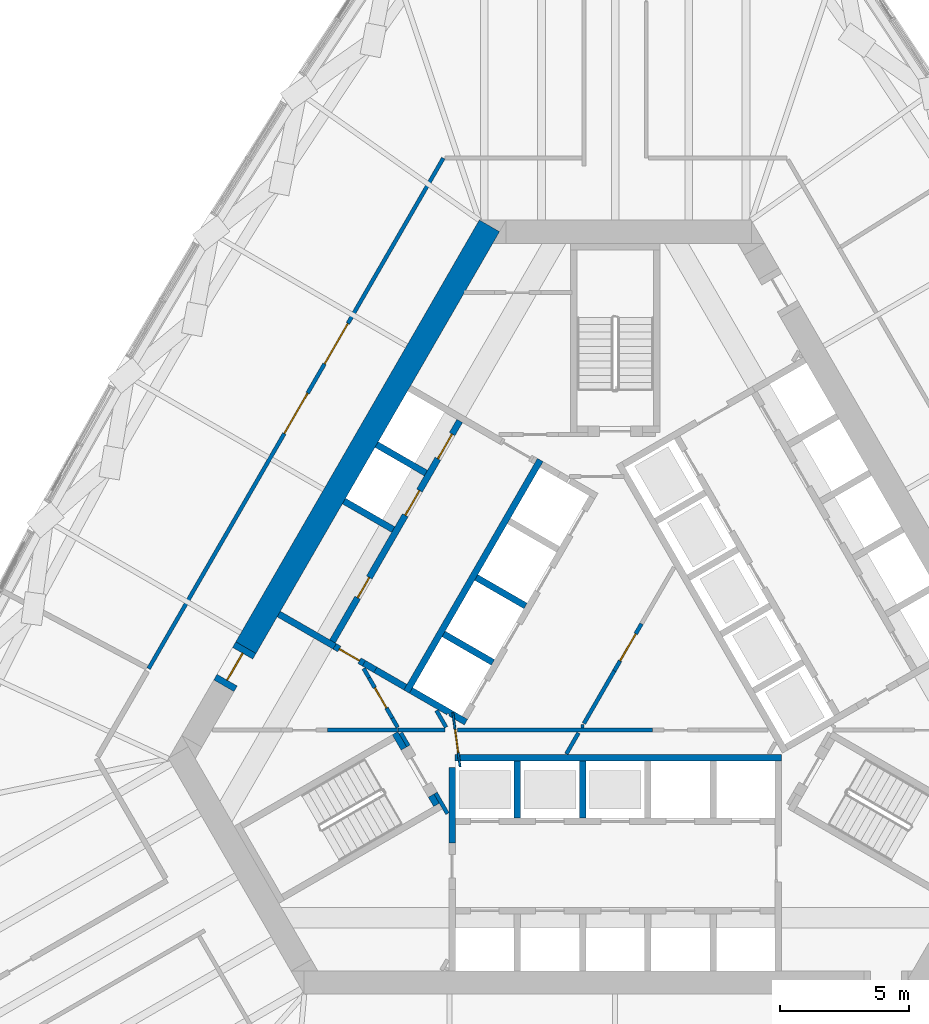
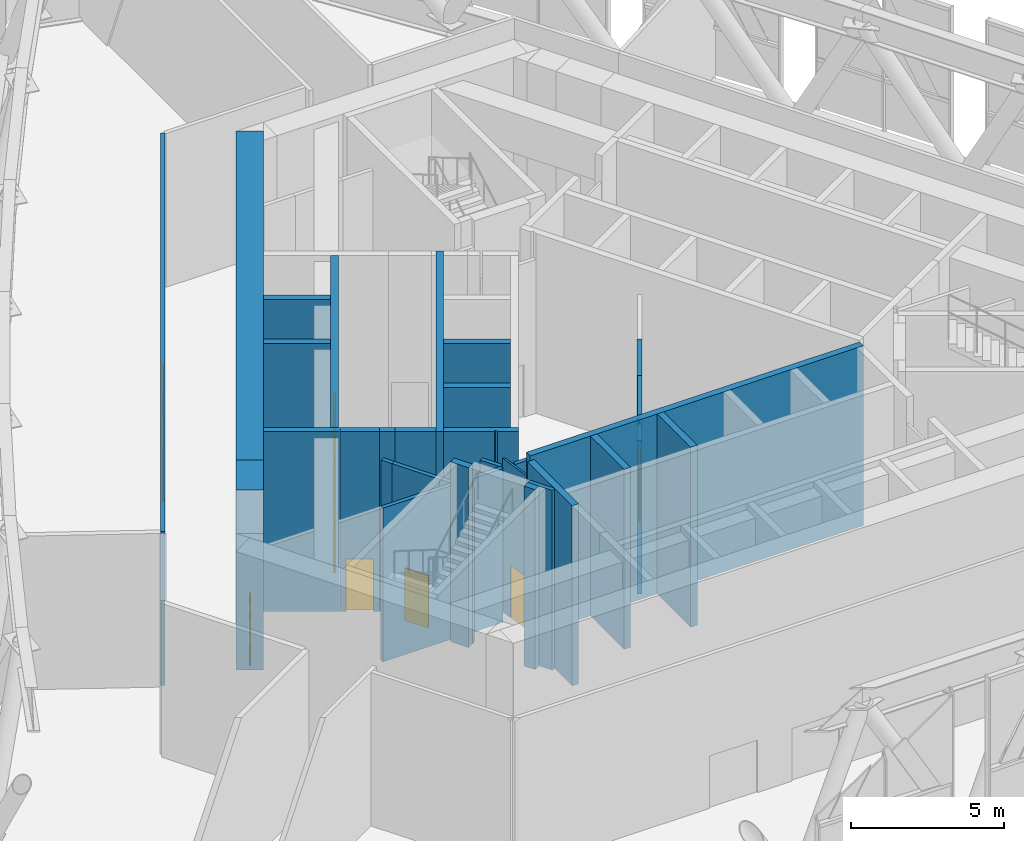
# One storey, part 22 of 33: 34 walls, 10 doors, 10 openings.
"""IFC4 building model written with IfcOpenShell, lengths in metres."""

from ifc_helpers import new_model, si_unit, direction, frame, frame_2d, origin, place, context, subcontext, project, spatial, polyline, rectangle, outline, extrude, material, layer, layer_set, type_object, element, fill, save


model = new_model("IFC4")

# Units and contexts
model_context = context("Model", 3, precision=1e-05, world=origin(), true_north=direction((0.0, 1.0)))
body_context = subcontext(model_context, "Body", "Model", "MODEL_VIEW")
ifc_project = project(units=[si_unit("LENGTHUNIT", "METRE"), si_unit("AREAUNIT", "SQUARE_METRE"), si_unit("VOLUMEUNIT", "CUBIC_METRE"), si_unit("PLANEANGLEUNIT", "RADIAN"), si_unit("MASSUNIT", "GRAM", prefix="KILO")], contexts=[model_context])

# Site, building, storey
site_placement = place(None, origin())
site = spatial("IfcSite", under=ifc_project, at=site_placement, CompositionType="ELEMENT")
building_placement = place(site_placement, origin())
building = spatial("IfcBuilding", under=site, at=building_placement, Name="Mestral Congress Tower", CompositionType="ELEMENT")
storey_placement = place(building_placement, frame((0.0, 0.0, 134.39990234375)))
storey = spatial("IfcBuildingStorey", under=building, at=storey_placement, Name="L32", CompositionType="ELEMENT", Elevation=134.39990234375)

# Walls
ifc_material_1 = material(Name="Fire-rated board partition")
ifc_layer_1 = layer(ifc_material_1, 0.14990234375)
ifc_layer_set_1 = layer_set([ifc_layer_1], Name="Fire-rated board partition")
wall_type_1 = type_object("IfcWallType", Name="Core partition 150", PredefinedType="PARTITIONING", material=ifc_layer_set_1)
wall_1_placement = place(storey_placement, frame((-8.394775390625, -2.800048828125, 0.0), z_axis=(0.0, 0.0, 1.0), x_axis=(1.0, 0.0, 0.0)))
element("IfcWall", 1, at=wall_1_placement, inside=storey, type_object=wall_type_1, Name="L32 core wall", PredefinedType="PARTITIONING", context=body_context, shape_type="SweptSolid", body=[
    extrude(rectangle(XDim=1.828125, YDim=0.14990234375, at=frame_2d((0.9140625, 0.0))), origin(), (0.0, 0.0, 1.0), 6.150146484375),
])
wall_2_placement = place(storey_placement, frame((-11.11474609375, -2.800048828125, 0.0), z_axis=(0.0, 0.0, 1.0), x_axis=(1.0, 0.0, 0.0)))
element("IfcWall", 2, at=wall_2_placement, inside=storey, type_object=wall_type_1, Name="L32 core wall", PredefinedType="PARTITIONING", context=body_context, shape_type="SweptSolid", body=[
    extrude(rectangle(XDim=2.7080078125, YDim=0.14990234375, at=frame_2d((1.35400390625, 0.0))), origin(), (0.0, 0.0, 1.0), 6.150146484375),
])
wall_3_placement = place(storey_placement, frame((-6.53076171875, -2.68896484375, 0.0), z_axis=(0.0, 0.0, 1.0), x_axis=(-0.499967446111, 0.866044197965, 0.0)))
element("IfcWall", 3, at=wall_3_placement, inside=storey, type_object=wall_type_1, Name="L32 core wall", PredefinedType="PARTITIONING", context=body_context, shape_type="SweptSolid", body=[
    extrude(rectangle(XDim=0.74755859375, YDim=0.14990234375, at=frame_2d((0.373779296875, 0.0))), origin(), (0.0, 0.0, 1.0), 6.150146484375),
])
wall_4_placement = place(storey_placement, frame((-7.989990234375, -3.41162109375, 0.0), z_axis=(0.0, 0.0, 1.0), x_axis=(-0.500193841991, 0.86591346013, 0.0)))
element("IfcWall", 4, at=wall_4_placement, inside=storey, type_object=wall_type_1, Name="L32 core wall", PredefinedType="PARTITIONING", context=body_context, shape_type="SweptSolid", body=[
    extrude(rectangle(XDim=0.582763671875, YDim=0.14990234375, at=frame_2d((0.29150390625, 0.0))), origin(), (0.0, 0.0, 1.0), 6.150146484375),
])
wall_5_placement = place(storey_placement, frame((-8.612060546875, -2.33349609375, 0.0), z_axis=(0.0, 0.0, 1.0), x_axis=(0.500248216681, -0.86588204838, 0.0)))
element("IfcWall", 5, at=wall_5_placement, inside=storey, type_object=wall_type_1, Name="L32 core wall", PredefinedType="PARTITIONING", context=body_context, shape_type="SweptSolid", body=[
    extrude(rectangle(XDim=0.415283203125, YDim=0.14990234375, at=frame_2d((0.20751953125, 0.0))), origin(), (0.0, 0.0, 1.0), 6.150146484375),
])
wall_6_placement = place(storey_placement, frame((-6.086181640625, -2.801025390625, 0.0), z_axis=(0.0, 0.0, 1.0), x_axis=(1.0, 0.0, 0.0)))
element("IfcWall", 6, at=wall_6_placement, inside=storey, type_object=wall_type_1, Name="L32 core wall", PredefinedType="PARTITIONING", context=body_context, shape_type="SweptSolid", body=[
    extrude(rectangle(XDim=7.5244140625, YDim=0.14990234375, at=frame_2d((3.76220703125, 0.0))), origin(), (0.0, 0.0, 1.0), 6.150146484375),
])
wall_7_placement = place(storey_placement, frame((-1.886962890625, -3.71826171875, 0.0), z_axis=(0.0, 0.0, 1.0), x_axis=(0.499842898591, 0.866116087328, 0.0)))
element("IfcWall", 7, at=wall_7_placement, inside=storey, type_object=wall_type_1, Name="L32 core wall", PredefinedType="PARTITIONING", context=body_context, shape_type="SweptSolid", body=[
    extrude(rectangle(XDim=0.935791015625, YDim=0.14990234375, at=frame_2d((0.4677734375, 0.0))), origin(), (0.0, 0.0, 1.0), 6.150146484375),
])
wall_8_placement = place(storey_placement, frame((-1.2119140625, -2.65087890625, 0.0), z_axis=(0.0, 0.0, 1.0), x_axis=(-1.0, 0.0, 0.0)))
element("IfcWall", 8, at=wall_8_placement, inside=storey, type_object=wall_type_1, Name="L32 core wall", PredefinedType="PARTITIONING", context=body_context, shape_type="SweptSolid", body=[
    extrude(rectangle(XDim=0.10791015625, YDim=0.14990234375, at=frame_2d((0.053955078125, 0.0))), origin(), (0.0, 0.0, 1.0), 6.150146484375),
])
wall_9_placement = place(storey_placement, frame((-1.20849609375, -2.5439453125, 0.0), z_axis=(0.0, 0.0, 1.0), x_axis=(0.499995339376, 0.86602809458, 0.0)))
element("IfcWall", 9, at=wall_9_placement, inside=storey, type_object=wall_type_1, Name="L32 core wall", PredefinedType="PARTITIONING", context=body_context, shape_type="SweptSolid", body=[
    extrude(rectangle(XDim=2.34912109375, YDim=0.14990234375, at=frame_2d((1.174560546875, 0.0))), origin(), (0.0, 0.0, 1.0), 6.150146484375),
])
wall_10_placement = place(storey_placement, frame((-9.511962890625, -0.774658203125, 0.0), z_axis=(0.0, 0.0, 1.0), x_axis=(-0.500080620599, 0.865978852456, 0.0)))
element("IfcWall", 10, at=wall_10_placement, inside=storey, type_object=wall_type_1, Name="L32 core wall", PredefinedType="PARTITIONING", context=body_context, shape_type="SweptSolid", body=[
    extrude(rectangle(XDim=0.4130859375, YDim=0.14990234375, at=frame_2d((0.20654296875, 0.0))), origin(), (0.0, 0.0, 1.0), 6.150146484375),
])

# Wall, opening, door
wall_11_placement = place(storey_placement, frame((-0.0341796875, -0.50927734375, 0.0), z_axis=(0.0, 0.0, 1.0), x_axis=(0.49994051562, 0.866059744384, 0.0)))
wall_11 = element("IfcWall", 11, at=wall_11_placement, inside=storey, type_object=wall_type_1, Name="L32 door wall", PredefinedType="PARTITIONING", context=body_context, shape_type="SweptSolid", body=[
    extrude(rectangle(XDim=2.099853515625, YDim=0.14990234375, at=frame_2d((1.0498046875, 0.0))), origin(), (0.0, 0.0, 1.0), 6.150146484375),
])
opening_1_placement = place(wall_11_placement, frame((0.449951171875, 0.0, 0.0)))
opening_1 = element("IfcOpeningElement", 12, at=opening_1_placement, cuts=wall_11, Name="Opening CD3-HUB0", PredefinedType="OPENING", context=body_context, shape_type="SweptSolid", body=[
    extrude(rectangle(XDim=1.199951171875, YDim=2.10009765625, at=frame_2d((0.60009765625, 1.050048828125))), frame((0.0, 0.0849609375, 0.0), z_axis=(0.0, -1.0, 0.0), x_axis=(1.0, 0.0, 0.0)), (0.0, 0.0, 1.0), 0.169921875),
])
ifc_material_2 = material(Name="Fire-rated steel door set", Category="steel")
door_type_1 = type_object("IfcDoorType", Name="Core door CD 1200x2100", OperationType="SINGLE_SWING_LEFT", PredefinedType="DOOR", material=ifc_material_2)
door_1_placement = place(opening_1_placement, origin())
door_1 = element("IfcDoor", 13, at=door_1_placement, inside=storey, type_object=door_type_1, Name="Door CD3-HUB0", OperationType="SINGLE_SWING_LEFT", OverallHeight=2.10009765625, OverallWidth=1.199951171875, PredefinedType="DOOR", context=body_context, shape_type="SweptSolid", body=[
    extrude(rectangle(XDim=1.199951171875, YDim=2.10009765625, at=frame_2d((0.60009765625, 1.050048828125))), frame((0.0, 0.02490234375, 0.0), z_axis=(0.0, -1.0, 0.0), x_axis=(1.0, 0.0, 0.0)), (0.0, 0.0, 1.0), 0.050048828125),
])
fill(opening_1, door_1)

wall_12_placement = place(storey_placement, frame((-8.612060546875, -2.33349609375, 0.0), z_axis=(0.0, 0.0, 1.0), x_axis=(-0.499961193289, 0.866047807691, 0.0)))
wall_12 = element("IfcWall", 14, at=wall_12_placement, inside=storey, type_object=wall_type_1, Name="L32 door wall", PredefinedType="PARTITIONING", context=body_context, shape_type="SweptSolid", body=[
    extrude(rectangle(XDim=1.800048828125, YDim=0.14990234375, at=frame_2d((0.89990234375, 0.0))), origin(), (0.0, 0.0, 1.0), 6.150146484375),
])
opening_2_placement = place(wall_12_placement, frame((0.449951171875, 0.0, 0.0)))
opening_2 = element("IfcOpeningElement", 15, at=opening_2_placement, cuts=wall_12, Name="Opening SD-HUB5", PredefinedType="OPENING", context=body_context, shape_type="SweptSolid", body=[
    extrude(rectangle(XDim=0.89990234375, YDim=2.10009765625, at=frame_2d((0.449951171875, 1.050048828125))), frame((0.0, 0.0849609375, 0.0), z_axis=(0.0, -1.0, 0.0), x_axis=(1.0, 0.0, 0.0)), (0.0, 0.0, 1.0), 0.169921875),
])
door_type_2 = type_object("IfcDoorType", Name="Core door SR 900x2100", OperationType="SINGLE_SWING_LEFT", PredefinedType="DOOR", material=ifc_material_2)
door_2_placement = place(opening_2_placement, origin())
door_2 = element("IfcDoor", 16, at=door_2_placement, inside=storey, type_object=door_type_2, Name="Door SD-HUB5", OperationType="SINGLE_SWING_LEFT", OverallHeight=2.10009765625, OverallWidth=0.89990234375, PredefinedType="DOOR", context=body_context, shape_type="SweptSolid", body=[
    extrude(rectangle(XDim=0.89990234375, YDim=2.10009765625, at=frame_2d((0.449951171875, 1.050048828125))), frame((0.0, 0.02490234375, 0.0), z_axis=(0.0, -1.0, 0.0), x_axis=(1.0, 0.0, 0.0)), (0.0, 0.0, 1.0), 0.050048828125),
])
fill(opening_2, door_2)

ifc_layer_2 = layer(ifc_material_1, 0.075927734375)
ifc_layer_set_2 = layer_set([ifc_layer_2], Name="Fire-rated board partition")
wall_type_2 = type_object("IfcWallType", Name="Core partition 150 door-wall 76", PredefinedType="PARTITIONING", material=ifc_layer_set_2)
wall_13_placement = place(storey_placement, frame((-5.99462890625, -4.213134765625, 0.0), z_axis=(0.0, 0.0, 1.0), x_axis=(-0.132072335448, 0.991240081014, 0.0)))
wall_13 = element("IfcWall", 17, at=wall_13_placement, inside=storey, type_object=wall_type_2, Name="L32 door wall", PredefinedType="PARTITIONING", context=body_context, shape_type="SweptSolid", body=[
    extrude(rectangle(XDim=2.099853515625, YDim=0.07568359375, at=frame_2d((1.0498046875, 0.0))), origin(), (0.0, 0.0, 1.0), 6.150146484375),
])
opening_3_placement = place(wall_13_placement, frame((0.550048828125, 0.0, 0.0)))
opening_3 = element("IfcOpeningElement", 18, at=opening_3_placement, cuts=wall_13, Name="Opening CD3-HUB4", PredefinedType="OPENING", context=body_context, shape_type="SweptSolid", body=[
    extrude(rectangle(XDim=0.89990234375, YDim=2.10009765625, at=frame_2d((0.449951171875, 1.050048828125))), frame((0.0, 0.0478515625, 0.0), z_axis=(0.0, -1.0, 0.0), x_axis=(1.0, 0.0, 0.0)), (0.0, 0.0, 1.0), 0.095703125),
])
door_type_3 = type_object("IfcDoorType", Name="Core door CD 900x2100", OperationType="SINGLE_SWING_LEFT", PredefinedType="DOOR", material=ifc_material_2)
door_3_placement = place(opening_3_placement, origin())
door_3 = element("IfcDoor", 19, at=door_3_placement, inside=storey, type_object=door_type_3, Name="Door CD3-HUB4", OperationType="SINGLE_SWING_LEFT", OverallHeight=2.10009765625, OverallWidth=0.89990234375, PredefinedType="DOOR", context=body_context, shape_type="SweptSolid", body=[
    extrude(rectangle(XDim=0.89990234375, YDim=2.10009765625, at=frame_2d((0.449951171875, 1.050048828125))), frame((0.0, 0.02490234375, 0.0), z_axis=(0.0, -1.0, 0.0), x_axis=(1.0, 0.0, 0.0)), (0.0, 0.0, 1.0), 0.050048828125),
])
fill(opening_3, door_3)

# Wall
ifc_material_3 = material(Name="Concrete C60/75", Category="concrete")
ifc_layer_3 = layer(ifc_material_3, 0.89990234375)
ifc_layer_set_3 = layer_set([ifc_layer_3], Name="Concrete C60/75")
wall_type_3 = type_object("IfcWallType", Name="Core wall RC 900", PredefinedType="SOLIDWALL", material=ifc_layer_set_3)
wall_14_placement = place(storey_placement, frame((-14.267822265625, 0.38720703125, 0.0), z_axis=(0.0, 0.0, 1.0), x_axis=(0.499994617707, 0.866028511231, 0.0)))
element("IfcWall", 20, at=wall_14_placement, inside=storey, type_object=wall_type_3, Name="L32 core wall", PredefinedType="SOLIDWALL", context=body_context, shape_type="SweptSolid", body=[
    extrude(rectangle(XDim=18.817138671875, YDim=0.89990234375, at=frame_2d((9.40869140625, 0.0))), origin(), (0.0, 0.0, 1.0), 7.2001953125),
])

# Wall, opening, door
wall_15_placement = place(storey_placement, frame((-15.117919921875, -1.085205078125, 0.0), z_axis=(0.0, 0.0, 1.0), x_axis=(0.500000056704, 0.866025371046, 0.0)))
wall_15 = element("IfcWall", 21, at=wall_15_placement, inside=storey, type_object=wall_type_3, Name="L32 door wall", PredefinedType="SOLIDWALL", context=body_context, shape_type="SweptSolid", body=[
    extrude(rectangle(XDim=1.7001953125, YDim=0.89990234375, at=frame_2d((0.85009765625, 0.0))), origin(), (0.0, 0.0, 1.0), 7.2001953125),
])
opening_4_placement = place(wall_15_placement, frame((0.25, 0.0, 0.0)))
opening_4 = element("IfcOpeningElement", 22, at=opening_4_placement, cuts=wall_15, Name="Opening XD3", PredefinedType="OPENING", context=body_context, shape_type="SweptSolid", body=[
    extrude(rectangle(XDim=1.199951171875, YDim=2.10009765625, at=frame_2d((0.60009765625, 1.050048828125))), frame((0.0, 0.4599609375, 0.0), z_axis=(0.0, -1.0, 0.0), x_axis=(1.0, 0.0, 0.0)), (0.0, 0.0, 1.0), 0.919921875),
])
door_type_4 = type_object("IfcDoorType", Name="Core door XD 1200x2100", OperationType="SINGLE_SWING_LEFT", PredefinedType="DOOR", material=ifc_material_2)
door_4_placement = place(opening_4_placement, origin())
door_4 = element("IfcDoor", 23, at=door_4_placement, inside=storey, type_object=door_type_4, Name="Door XD3", OperationType="SINGLE_SWING_LEFT", OverallHeight=2.10009765625, OverallWidth=1.199951171875, PredefinedType="DOOR", context=body_context, shape_type="SweptSolid", body=[
    extrude(rectangle(XDim=1.199951171875, YDim=2.10009765625, at=frame_2d((0.60009765625, 1.050048828125))), frame((0.0, 0.02490234375, 0.0), z_axis=(0.0, -1.0, 0.0), x_axis=(1.0, 0.0, 0.0)), (0.0, 0.0, 1.0), 0.050048828125),
])
fill(opening_4, door_4)

# Walls
ifc_layer_4 = layer(ifc_material_3, 0.25)
ifc_layer_set_4 = layer_set([ifc_layer_4], Name="Concrete C60/75")
wall_type_4 = type_object("IfcWallType", Name="Shaft wall RC 250", PredefinedType="SOLIDWALL", material=ifc_layer_set_4)
wall_16_placement = place(storey_placement, frame((-6.300048828125, -4.239990234375, 0.0), z_axis=(0.0, 0.0, 1.0), x_axis=(0.0, -1.0, 0.0)))
element("IfcWall", 24, at=wall_16_placement, inside=storey, type_object=wall_type_4, Name="L32 core wall", PredefinedType="SOLIDWALL", context=body_context, shape_type="SweptSolid", body=[
    extrude(rectangle(XDim=2.914306640625, YDim=0.25, at=frame_2d((1.45703125, 0.0))), origin(), (0.0, 0.0, 1.0), 7.2001953125),
])
wall_17_placement = place(storey_placement, frame((-6.189697265625, -3.875, 0.0), z_axis=(0.0, 0.0, 1.0), x_axis=(1.0, 0.0, 0.0)))
element("IfcWall", 25, at=wall_17_placement, inside=storey, type_object=wall_type_4, Name="L32 core wall", PredefinedType="SOLIDWALL", context=body_context, shape_type="SweptSolid", body=[
    extrude(rectangle(XDim=12.61474609375, YDim=0.25, at=frame_2d((6.307373046875, 0.0))), origin(), (0.0, 0.0, 1.0), 7.2001953125),
])
for number, where, z_axis, x_axis, name in (
    (26, (-1.260009765625, -4.0, 0.0), (0.0, 0.0, 1.0), (0.0, -1.0, 0.0), "L32 core wall"),
    (27, (-3.780029296875, -4.0, 0.0), (0.0, 0.0, 1.0), (0.0, -1.0, 0.0), "L32 core wall"),
):
    element("IfcWall", number, at=place(storey_placement, frame(where, z_axis=z_axis, x_axis=x_axis)), inside=storey, type_object=wall_type_4, Name=name, PredefinedType="SOLIDWALL", context=body_context, shape_type="SweptSolid", body=[
        extrude(rectangle(XDim=2.199951171875, YDim=0.25, at=frame_2d((1.10009765625, 0.0))), origin(), (0.0, 0.0, 1.0), 7.2001953125),
    ])
wall_18_placement = place(storey_placement, frame((-8.06005859375, -1.310546875, 0.0), z_axis=(0.0, 0.0, 1.0), x_axis=(0.50000273126, 0.866023826885, 0.0)))
element("IfcWall", 28, at=wall_18_placement, inside=storey, type_object=wall_type_4, Name="L32 core wall", PredefinedType="SOLIDWALL", context=body_context, shape_type="SweptSolid", body=[
    extrude(rectangle(XDim=10.330078125, YDim=0.25, at=frame_2d((5.1650390625, 0.0))), origin(), (0.0, 0.0, 1.0), 7.2001953125),
])
for number, where, z_axis, x_axis, name in (
    (29, (-5.369384765625, 3.10009765625, 0.0), (0.0, 0.0, 1.0), (0.866008176907, -0.50002983664, 0.0), "L32 core wall"),
    (30, (-4.72412109375, -0.182373046875, 0.0), (0.0, 0.0, 1.0), (-0.866008176907, 0.50002983664, 0.0), "L32 core wall"),
):
    element("IfcWall", number, at=place(storey_placement, frame(where, z_axis=z_axis, x_axis=x_axis)), inside=storey, type_object=wall_type_4, Name=name, PredefinedType="SOLIDWALL", context=body_context, shape_type="SweptSolid", body=[
        extrude(rectangle(XDim=2.199951171875, YDim=0.25, at=frame_2d((1.10009765625, 0.0))), origin(), (0.0, 0.0, 1.0), 7.2001953125),
    ])
wall_19_placement = place(storey_placement, origin())
element("IfcWall", 31, at=wall_19_placement, inside=storey, type_object=wall_type_4, Name="L32 core wall", PredefinedType="SOLIDWALL", context=body_context, shape_type="SweptSolid", body=[
    extrude(outline(polyline([(-5.921630859375, -2.256591796875), (-5.921630859375, -2.256591796875), (-5.705078125, -2.381591796875), (-5.830078125, -2.597900390625), (-6.41845703125, -2.25830078125), (-6.4326171875, -2.153076171875), (-6.4326171875, -2.15283203125), (-6.4326171875, -2.15283203125), (-6.5078125, -2.162841796875), (-6.5078125, -2.162841796875), (-6.5078125, -2.1630859375), (-6.50146484375, -2.21044921875), (-7.951904296875, -1.373046875), (-7.826904296875, -1.156494140625), (-5.921630859375, -2.256591796875)])), origin(), (0.0, 0.0, 1.0), 7.2001953125),
])
wall_20_placement = place(storey_placement, frame((-9.7080078125, -0.21484375, 0.0), z_axis=(0.0, 0.0, 1.0), x_axis=(0.866113839764, -0.499846793097, 0.0)))
element("IfcWall", 32, at=wall_20_placement, inside=storey, type_object=wall_type_4, Name="L32 core wall", PredefinedType="SOLIDWALL", context=body_context, shape_type="SweptSolid", body=[
    extrude(rectangle(XDim=0.510009765625, YDim=0.25, at=frame_2d((0.2548828125, 0.0))), origin(), (0.0, 0.0, 1.0), 7.2001953125),
])
wall_21_placement = place(storey_placement, frame((-12.998779296875, 1.685302734375, 0.0), z_axis=(0.0, 0.0, 1.0), x_axis=(0.865996765544, -0.500049599607, 0.0)))
element("IfcWall", 33, at=wall_21_placement, inside=storey, type_object=wall_type_4, Name="L32 core wall", PredefinedType="SOLIDWALL", context=body_context, shape_type="SweptSolid", body=[
    extrude(rectangle(XDim=2.497802734375, YDim=0.25, at=frame_2d((1.2490234375, 0.0))), origin(), (0.0, 0.0, 1.0), 7.2001953125),
])
wall_22_placement = place(storey_placement, frame((-9.2646484375, -0.470703125, 0.0), z_axis=(0.0, 0.0, 1.0), x_axis=(0.865954634268, -0.500122556369, 0.0)))
element("IfcWall", 34, at=wall_22_placement, inside=storey, type_object=wall_type_4, Name="L32 core wall", PredefinedType="SOLIDWALL", context=body_context, shape_type="SweptSolid", body=[
    extrude(rectangle(XDim=1.338134765625, YDim=0.25, at=frame_2d((0.6689453125, 0.0))), origin(), (0.0, 0.0, 1.0), 7.2001953125),
])
for number, where, z_axis, x_axis, name in (
    (35, (-8.57373046875, 4.949951171875, 0.0), (0.0, 0.0, 1.0), (-0.866008176907, 0.50002983664, 0.0), "L32 core wall"),
    (36, (-7.313720703125, 7.13232421875, 0.0), (0.0, 0.0, 1.0), (-0.866008176907, 0.50002983664, 0.0), "L32 core wall"),
):
    element("IfcWall", number, at=place(storey_placement, frame(where, z_axis=z_axis, x_axis=x_axis)), inside=storey, type_object=wall_type_4, Name=name, PredefinedType="SOLIDWALL", context=body_context, shape_type="SweptSolid", body=[
        extrude(rectangle(XDim=2.199951171875, YDim=0.25, at=frame_2d((1.10009765625, 0.0))), origin(), (0.0, 0.0, 1.0), 7.2001953125),
    ])

# Wall, openings, doors
wall_23_placement = place(storey_placement, frame((-6.0078125, 9.14404296875, 0.0), z_axis=(0.0, 0.0, 1.0), x_axis=(-0.500006956611, -0.866021387346, 0.0)))
wall_23 = element("IfcWall", 37, at=wall_23_placement, inside=storey, type_object=wall_type_4, Name="L32 door wall", PredefinedType="SOLIDWALL", context=body_context, shape_type="SweptSolid", body=[
    extrude(rectangle(XDim=9.829833984375, YDim=0.25, at=frame_2d((4.9150390625, 0.0))), origin(), (0.0, 0.0, 1.0), 7.2001953125),
])
opening_5_placement = place(wall_23_placement, frame((0.5849609375, 0.0, 0.0)))
opening_5 = element("IfcOpeningElement", 38, at=opening_5_placement, cuts=wall_23, Name="Opening LD-NWA1", PredefinedType="OPENING", context=body_context, shape_type="SweptSolid", body=[
    extrude(rectangle(XDim=1.10009765625, YDim=2.10009765625, at=frame_2d((0.550048828125, 1.050048828125))), frame((0.0, 0.135009765625, 0.0), z_axis=(0.0, -1.0, 0.0), x_axis=(1.0, 0.0, 0.0)), (0.0, 0.0, 1.0), 0.27001953125),
])
opening_6_placement = place(wall_23_placement, frame((3.10498046875, 0.0, 0.0)))
opening_6 = element("IfcOpeningElement", 39, at=opening_6_placement, cuts=wall_23, Name="Opening LD-NWA2", PredefinedType="OPENING", context=body_context, shape_type="SweptSolid", body=[
    extrude(rectangle(XDim=1.10009765625, YDim=2.10009765625, at=frame_2d((0.550048828125, 1.050048828125))), frame((0.0, 0.135009765625, 0.0), z_axis=(0.0, -1.0, 0.0), x_axis=(1.0, 0.0, 0.0)), (0.0, 0.0, 1.0), 0.27001953125),
])
opening_7_placement = place(wall_23_placement, frame((6.985107421875, 0.0, 0.0)))
opening_7 = element("IfcOpeningElement", 40, at=opening_7_placement, cuts=wall_23, Name="Opening SR-NWA2", PredefinedType="OPENING", context=body_context, shape_type="SweptSolid", body=[
    extrude(rectangle(XDim=0.89990234375, YDim=2.10009765625, at=frame_2d((0.449951171875, 1.050048828125))), frame((0.0, 0.135009765625, 0.0), z_axis=(0.0, -1.0, 0.0), x_axis=(1.0, 0.0, 0.0)), (0.0, 0.0, 1.0), 0.27001953125),
])
door_type_5 = type_object("IfcDoorType", Name="Core door LD 1100x2100", OperationType="DOUBLE_DOOR_SLIDING", PredefinedType="DOOR", material=ifc_material_2)
door_5_placement = place(opening_5_placement, origin())
door_5 = element("IfcDoor", 41, at=door_5_placement, inside=storey, type_object=door_type_5, Name="Door LD-NWA1", OperationType="DOUBLE_DOOR_SLIDING", OverallHeight=2.10009765625, OverallWidth=1.10009765625, PredefinedType="DOOR", context=body_context, shape_type="SweptSolid", body=[
    extrude(rectangle(XDim=1.10009765625, YDim=2.10009765625, at=frame_2d((0.550048828125, 1.050048828125))), frame((0.0, 0.02490234375, 0.0), z_axis=(0.0, -1.0, 0.0), x_axis=(1.0, 0.0, 0.0)), (0.0, 0.0, 1.0), 0.050048828125),
])
fill(opening_5, door_5)
door_6_placement = place(opening_6_placement, origin())
door_6 = element("IfcDoor", 42, at=door_6_placement, inside=storey, type_object=door_type_5, Name="Door LD-NWA2", OperationType="DOUBLE_DOOR_SLIDING", OverallHeight=2.10009765625, OverallWidth=1.10009765625, PredefinedType="DOOR", context=body_context, shape_type="SweptSolid", body=[
    extrude(rectangle(XDim=1.10009765625, YDim=2.10009765625, at=frame_2d((0.550048828125, 1.050048828125))), frame((0.0, 0.02490234375, 0.0), z_axis=(0.0, -1.0, 0.0), x_axis=(1.0, 0.0, 0.0)), (0.0, 0.0, 1.0), 0.050048828125),
])
fill(opening_6, door_6)
door_7_placement = place(opening_7_placement, origin())
door_7 = element("IfcDoor", 43, at=door_7_placement, inside=storey, type_object=door_type_2, Name="Door SR-NWA2", OperationType="SINGLE_SWING_LEFT", OverallHeight=2.10009765625, OverallWidth=0.89990234375, PredefinedType="DOOR", context=body_context, shape_type="SweptSolid", body=[
    extrude(rectangle(XDim=0.89990234375, YDim=2.10009765625, at=frame_2d((0.449951171875, 1.050048828125))), frame((0.0, 0.02490234375, 0.0), z_axis=(0.0, -1.0, 0.0), x_axis=(1.0, 0.0, 0.0)), (0.0, 0.0, 1.0), 0.050048828125),
])
fill(opening_7, door_7)

# Wall, opening, door
wall_24_placement = place(storey_placement, frame((-9.7080078125, -0.215087890625, 0.0), z_axis=(0.0, 0.0, 1.0), x_axis=(-0.866004217611, 0.500036693733, 0.0)))
wall_24 = element("IfcWall", 44, at=wall_24_placement, inside=storey, type_object=wall_type_4, Name="L32 door wall", PredefinedType="SOLIDWALL", context=body_context, shape_type="SweptSolid", body=[
    extrude(rectangle(XDim=1.30029296875, YDim=0.25, at=frame_2d((0.650146484375, 0.0))), origin(), (0.0, 0.0, 1.0), 7.2001953125),
])
opening_8_placement = place(wall_24_placement, frame((0.199951171875, 0.0, 0.0)))
opening_8 = element("IfcOpeningElement", 45, at=opening_8_placement, cuts=wall_24, Name="Opening PD3", PredefinedType="OPENING", context=body_context, shape_type="SweptSolid", body=[
    extrude(rectangle(XDim=0.89990234375, YDim=2.10009765625, at=frame_2d((0.449951171875, 1.050048828125))), frame((0.0, 0.135009765625, 0.0), z_axis=(0.0, -1.0, 0.0), x_axis=(1.0, 0.0, 0.0)), (0.0, 0.0, 1.0), 0.27001953125),
])
door_type_6 = type_object("IfcDoorType", Name="Core door PD 900x2100", OperationType="SINGLE_SWING_LEFT", PredefinedType="DOOR", material=ifc_material_2)
door_8_placement = place(opening_8_placement, origin())
door_8 = element("IfcDoor", 46, at=door_8_placement, inside=storey, type_object=door_type_6, Name="Door PD3", OperationType="SINGLE_SWING_LEFT", OverallHeight=2.10009765625, OverallWidth=0.89990234375, PredefinedType="DOOR", context=body_context, shape_type="SweptSolid", body=[
    extrude(rectangle(XDim=0.89990234375, YDim=2.10009765625, at=frame_2d((0.449951171875, 1.050048828125))), frame((0.0, 0.02490234375, 0.0), z_axis=(0.0, -1.0, 0.0), x_axis=(1.0, 0.0, 0.0)), (0.0, 0.0, 1.0), 0.050048828125),
])
fill(opening_8, door_8)

# Wall
ifc_layer_5 = layer(ifc_material_3, 0.14990234375)
ifc_layer_set_5 = layer_set([ifc_layer_5], Name="Concrete C60/75")
wall_type_5 = type_object("IfcWallType", Name="Shaft wall RC 250 door-wall 150", PredefinedType="SOLIDWALL", material=ifc_layer_set_5)
wall_25_placement = place(storey_placement, frame((-6.48046875, -6.026611328125, 0.0), z_axis=(0.0, 0.0, 1.0), x_axis=(-0.499936960004, 0.866061796884, 0.0)))
element("IfcWall", 47, at=wall_25_placement, inside=storey, type_object=wall_type_5, Name="L32 core wall", PredefinedType="PARTITIONING", context=body_context, shape_type="SweptSolid", body=[
    extrude(rectangle(XDim=0.91943359375, YDim=0.14990234375, at=frame_2d((0.459716796875, 0.0))), origin(), (0.0, 0.0, 1.0), 7.2001953125),
])

# Wall, openings, doors
ifc_layer_6 = layer(ifc_material_1, 0.14990234375)
ifc_layer_set_6 = layer_set([ifc_layer_6], Name="Fire-rated board partition")
wall_type_6 = type_object("IfcWallType", Name="Special partition 150 EI 180", PredefinedType="PARTITIONING", material=ifc_layer_set_6)
wall_26_placement = place(storey_placement, frame((-6.639404296875, 19.300048828125, 0.0), z_axis=(0.0, 0.0, 1.0), x_axis=(-0.500001456469, -0.86602456289, 0.0)))
wall_26 = element("IfcWall", 48, at=wall_26_placement, inside=storey, type_object=wall_type_6, Name="Partition", PredefinedType="PARTITIONING", context=body_context, shape_type="SweptSolid", body=[
    extrude(rectangle(XDim=22.7744140625, YDim=0.14990234375, at=frame_2d((11.38720703125, 0.0))), origin(), (0.0, 0.0, 1.0), 6.150146484375),
])
opening_9_placement = place(wall_26_placement, frame((10.4873046875, 0.0, 0.0)))
opening_9 = element("IfcOpeningElement", 49, at=opening_9_placement, cuts=wall_26, Name="Opening S32-008", PredefinedType="OPENING", context=body_context, shape_type="SweptSolid", body=[
    extrude(rectangle(XDim=1.800048828125, YDim=2.10009765625, at=frame_2d((0.89990234375, 1.050048828125))), frame((0.0, 0.0849609375, 0.0), z_axis=(0.0, -1.0, 0.0), x_axis=(1.0, 0.0, 0.0)), (0.0, 0.0, 1.0), 0.169921875),
])
opening_10_placement = place(wall_26_placement, frame((7.376953125, 0.0, 0.0)))
opening_10 = element("IfcOpeningElement", 50, at=opening_10_placement, cuts=wall_26, Name="Opening S32-009", PredefinedType="OPENING", context=body_context, shape_type="SweptSolid", body=[
    extrude(rectangle(XDim=1.800048828125, YDim=2.10009765625, at=frame_2d((0.89990234375, 1.050048828125))), frame((0.0, 0.0849609375, 0.0), z_axis=(0.0, -1.0, 0.0), x_axis=(1.0, 0.0, 0.0)), (0.0, 0.0, 1.0), 0.169921875),
])
door_type_7 = type_object("IfcDoorType", Name="Assembly double door 1800x2100", OperationType="DOUBLE_DOOR_SINGLE_SWING", PredefinedType="DOOR", material=ifc_material_2)
door_9_placement = place(opening_9_placement, origin())
door_9 = element("IfcDoor", 51, at=door_9_placement, inside=storey, type_object=door_type_7, Name="Door S32-008", OperationType="DOUBLE_DOOR_SINGLE_SWING", OverallHeight=2.10009765625, OverallWidth=1.800048828125, PredefinedType="DOOR", context=body_context, shape_type="SweptSolid", body=[
    extrude(rectangle(XDim=1.800048828125, YDim=2.10009765625, at=frame_2d((0.89990234375, 1.050048828125))), frame((0.0, 0.02490234375, 0.0), z_axis=(0.0, -1.0, 0.0), x_axis=(1.0, 0.0, 0.0)), (0.0, 0.0, 1.0), 0.050048828125),
])
fill(opening_9, door_9)
door_10_placement = place(opening_10_placement, origin())
door_10 = element("IfcDoor", 52, at=door_10_placement, inside=storey, type_object=door_type_7, Name="Door S32-009", OperationType="DOUBLE_DOOR_SINGLE_SWING", OverallHeight=2.10009765625, OverallWidth=1.800048828125, PredefinedType="DOOR", context=body_context, shape_type="SweptSolid", body=[
    extrude(rectangle(XDim=1.800048828125, YDim=2.10009765625, at=frame_2d((0.89990234375, 1.050048828125))), frame((0.0, 0.02490234375, 0.0), z_axis=(0.0, -1.0, 0.0), x_axis=(1.0, 0.0, 0.0)), (0.0, 0.0, 1.0), 0.050048828125),
])
fill(opening_10, door_10)

# Walls
ifc_layer_7 = layer(ifc_material_3, 0.25)
ifc_layer_set_7 = layer_set([ifc_layer_7], Name="Concrete C60/75")
wall_type_7 = type_object("IfcWallType", Name="Stair wall RC 250", PredefinedType="SOLIDWALL", material=ifc_layer_set_7)
wall_27_placement = place(storey_placement, frame((-8.162841796875, -3.51123046875, 0.0), z_axis=(0.0, 0.0, 1.0), x_axis=(-0.500206266495, 0.865906283012, 0.0)))
element("IfcWall", 53, at=wall_27_placement, inside=storey, type_object=wall_type_7, Name="L32 core wall", PredefinedType="SOLIDWALL", context=body_context, shape_type="SweptSolid", body=[
    extrude(rectangle(XDim=0.684326171875, YDim=0.25, at=frame_2d((0.34228515625, 0.0))), origin(), (0.0, 0.0, 1.0), 7.2001953125),
])
wall_28_placement = place(storey_placement, frame((-6.905029296875, -5.68994140625, 0.0), z_axis=(0.0, 0.0, 1.0), x_axis=(-0.499993700073, 0.866029041019, 0.0)))
element("IfcWall", 54, at=wall_28_placement, inside=storey, type_object=wall_type_7, Name="L32 core wall", PredefinedType="SOLIDWALL", context=body_context, shape_type="SweptSolid", body=[
    extrude(rectangle(XDim=0.41552734375, YDim=0.25, at=frame_2d((0.207763671875, 0.0))), origin(), (0.0, 0.0, 1.0), 7.2001953125),
])

save(model, "model.ifc")
